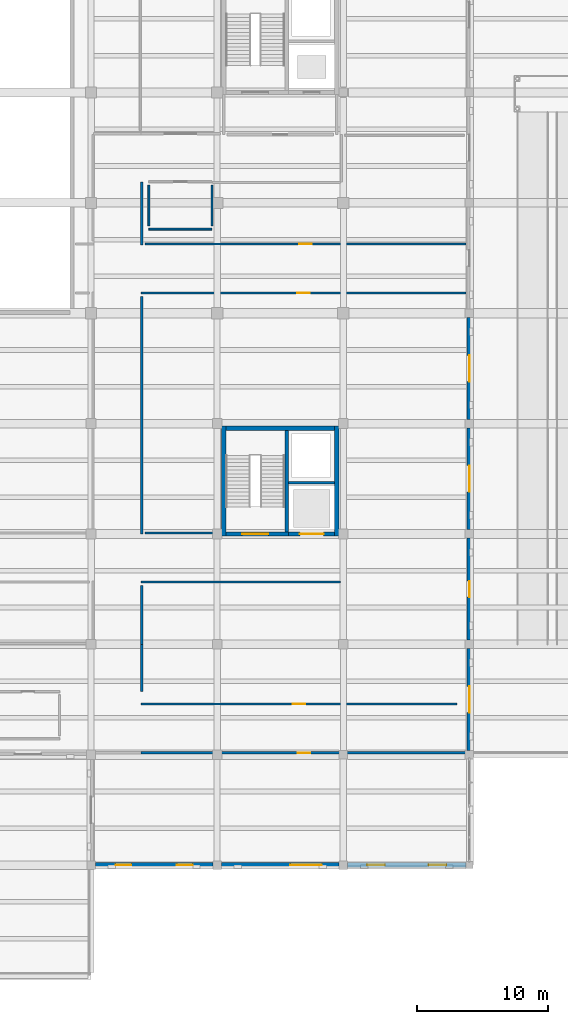
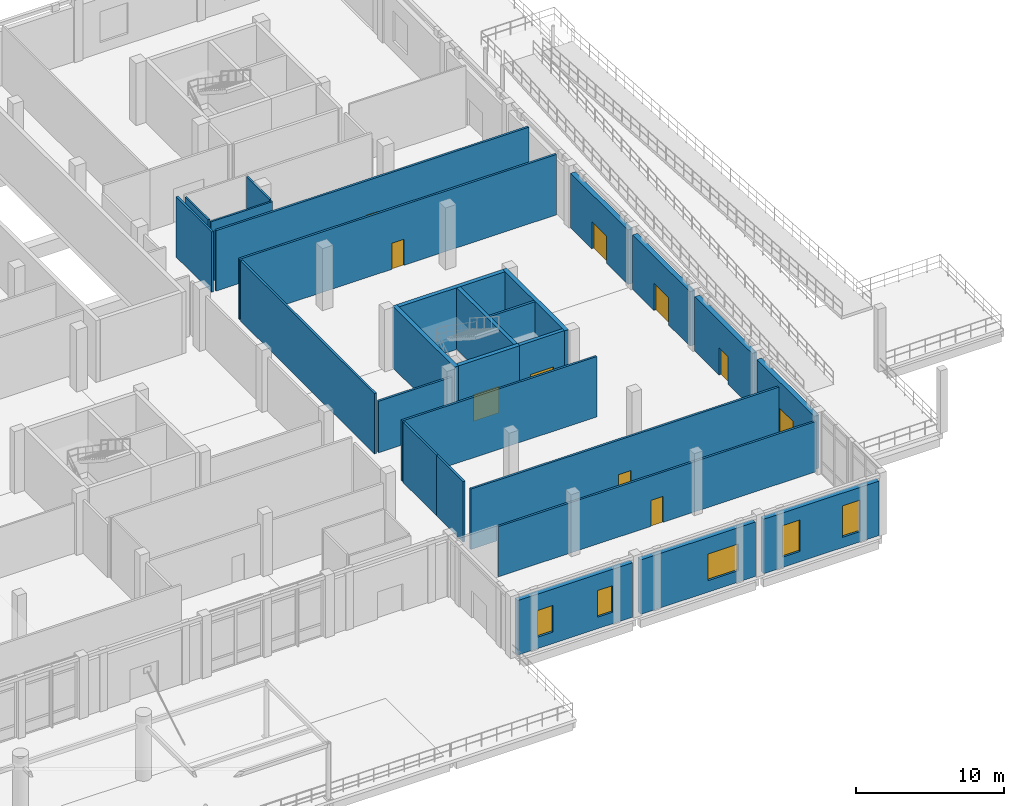
# One storey, part 58 of 71: 27 walls, 10 doors, 5 windows, 15 openings.
"""IFC4 building model written with IfcOpenShell, lengths in metres."""

from ifc_helpers import new_model, si_unit, direction, frame, frame_2d, origin, place, context, subcontext, project, spatial, rectangle, extrude, material, layer, layer_set, type_object, element, fill, save


model = new_model("IFC4")

# Units and contexts
model_context = context("Model", 3, precision=1e-05, world=origin(), true_north=direction((0.0, 1.0)))
body_context = subcontext(model_context, "Body", "Model", "MODEL_VIEW")
ifc_project = project(units=[si_unit("LENGTHUNIT", "METRE"), si_unit("AREAUNIT", "SQUARE_METRE"), si_unit("VOLUMEUNIT", "CUBIC_METRE"), si_unit("PLANEANGLEUNIT", "RADIAN"), si_unit("MASSUNIT", "GRAM", prefix="KILO")], contexts=[model_context])

# Site, building, storey
site_placement = place(None, origin())
site = spatial("IfcSite", under=ifc_project, at=site_placement, CompositionType="ELEMENT")
building_placement = place(site_placement, origin())
building = spatial("IfcBuilding", under=site, at=building_placement, Name="Lornevale Opera House", CompositionType="ELEMENT")
storey_placement = place(building_placement, origin())
storey = spatial("IfcBuildingStorey", under=building, at=storey_placement, Name="L01", CompositionType="ELEMENT", Elevation=0.0)

# Wall, opening, door
ifc_material_1 = material(Name="Concrete 40 MPa (CSA A23.1 C-1)", Category="concrete")
ifc_layer_1 = layer(ifc_material_1, 0.320068359375)
ifc_layer_set_1 = layer_set([ifc_layer_1], Name="Concrete 40 MPa (CSA A23.1 C-1)")
wall_type_1 = type_object("IfcWallType", Name="Core Shear Wall 320", PredefinedType="SHEAR", material=ifc_layer_set_1)
wall_1_placement = place(storey_placement, frame((135.06005859375, 33.60009765625, 0.0), z_axis=(0.0, 0.0, 1.0), x_axis=(1.0, 0.0, 0.0)))
wall_1 = element("IfcWall", 1, at=wall_1_placement, inside=storey, type_object=wall_type_1, Name="Backstage Service Lift Core Core Shear Wall 320 WL-COR-0331", PredefinedType="SHEAR", context=body_context, shape_type="SweptSolid", body=[
    extrude(rectangle(XDim=4.780029296875, YDim=0.320068359375, at=frame_2d((2.39013671875, 0.0))), origin(), (0.0, 0.0, 1.0), 5.10009765625),
])
opening_1_placement = place(wall_1_placement, frame((1.239990234375, 0.0, 0.0)))
opening_1 = element("IfcOpeningElement", 2, at=opening_1_placement, cuts=wall_1, Name="Opening DR-T12", PredefinedType="OPENING", context=body_context, shape_type="SweptSolid", body=[
    extrude(rectangle(XDim=2.0, YDim=2.199951171875, at=frame_2d((1.0, 1.10009765625))), frame((0.0, 0.169921875, 0.0), z_axis=(0.0, -1.0, 0.0), x_axis=(1.0, 0.0, 0.0)), (0.0, 0.0, 1.0), 0.340087890625),
])
ifc_material_2 = material(Name="Painted Hollow Metal Door Steel", Category="steel")
ifc_layer_2 = layer(ifc_material_2, 2.199951171875)
ifc_layer_set_2 = layer_set([ifc_layer_2], Name="Painted Hollow Metal Door Steel")
door_type_1 = type_object("IfcDoorType", Name="Exit Stair Discharge Pair 2000x2200", OperationType="NOTDEFINED", PredefinedType="DOOR", material=ifc_layer_set_2)
door_1_placement = place(opening_1_placement, origin())
door_1 = element("IfcDoor", 3, at=door_1_placement, inside=storey, type_object=door_type_1, Name="C8 Stair Door L01", OperationType="DOUBLE_SWING_LEFT", OverallHeight=2.199951171875, OverallWidth=2.0, PredefinedType="DOOR", context=body_context, shape_type="SweptSolid", body=[
    extrude(rectangle(XDim=2.0, YDim=2.199951171875, at=frame_2d((1.0, 1.10009765625))), frame((0.0, 0.02490234375, 0.0), z_axis=(0.0, -1.0, 0.0), x_axis=(1.0, 0.0, 0.0)), (0.0, 0.0, 1.0), 0.050048828125),
])
fill(opening_1, door_1)

# Walls
wall_2_placement = place(storey_placement, frame((143.340087890625, 41.639892578125, 0.0), z_axis=(0.0, 0.0, 1.0), x_axis=(-1.0, 0.0, 0.0)))
element("IfcWall", 4, at=wall_2_placement, inside=storey, type_object=wall_type_1, Name="Backstage Service Lift Core Core Shear Wall 320 WL-COR-0333", PredefinedType="SHEAR", context=body_context, shape_type="SweptSolid", body=[
    extrude(rectangle(XDim=8.280029296875, YDim=0.320068359375, at=frame_2d((4.14013671875, 0.0))), origin(), (0.0, 0.0, 1.0), 5.10009765625),
])
for number, where, z_axis, x_axis, name in (
    (5, (134.89990234375, 41.800048828125, 0.0), (0.0, 0.0, 1.0), (0.0, -1.0, 0.0), "Backstage Service Lift Core Core Shear Wall 320 WL-COR-0334"),
    (6, (143.5, 33.43994140625, 0.0), (0.0, 0.0, 1.0), (0.0, 1.0, 0.0), "Backstage Service Lift Core Core Shear Wall 320 WL-COR-0335"),
):
    element("IfcWall", number, at=place(storey_placement, frame(where, z_axis=z_axis, x_axis=x_axis)), inside=storey, type_object=wall_type_1, Name=name, PredefinedType="SHEAR", context=body_context, shape_type="SweptSolid", body=[
        extrude(rectangle(XDim=8.360107421875, YDim=0.320068359375, at=frame_2d((4.18017578125, 0.0))), origin(), (0.0, 0.0, 1.0), 5.10009765625),
    ])
ifc_material_3 = material(Name="Acoustic Mineral-Core Gypsum Partition", Category="gypsum")
ifc_layer_3 = layer(ifc_material_3, 0.1650390625)
ifc_layer_set_3 = layer_set([ifc_layer_3], Name="Acoustic Mineral-Core Gypsum Partition")
wall_type_2 = type_object("IfcWallType", Name="Corridor Rated Partition 165", PredefinedType="PARTITIONING", material=ifc_layer_set_3)
wall_3_placement = place(storey_placement, frame((128.60009765625, 29.93994140625, 0.0), z_axis=(0.0, 0.0, 1.0), x_axis=(1.0, 0.0, 0.0)))
element("IfcWall", 7, at=wall_3_placement, inside=storey, type_object=wall_type_2, Name="L01 Partition WL-INT-0683", PredefinedType="PARTITIONING", context=body_context, shape_type="SweptSolid", body=[
    extrude(rectangle(XDim=15.199951171875, YDim=0.1650390625, at=frame_2d((7.60009765625, 0.0))), origin(), (0.0, 0.0, 1.0), 4.989990234375),
])
wall_4_placement = place(storey_placement, frame((128.659912109375, 25.199951171875, 0.0), z_axis=(0.0, 0.0, 1.0), x_axis=(0.0, 1.0, 0.0)))
element("IfcWall", 8, at=wall_4_placement, inside=storey, type_object=wall_type_2, Name="L01 Partition WL-INT-0684", PredefinedType="PARTITIONING", context=body_context, shape_type="SweptSolid", body=[
    extrude(rectangle(XDim=4.489990234375, YDim=0.1650390625, at=frame_2d((2.2451171875, 0.0))), origin(), (0.0, 0.0, 1.0), 4.989990234375),
])
wall_5_placement = place(storey_placement, frame((128.659912109375, 21.60009765625, 0.0), z_axis=(0.0, 0.0, 1.0), x_axis=(0.0, 1.0, 0.0)))
element("IfcWall", 9, at=wall_5_placement, inside=storey, type_object=wall_type_2, Name="L01 Partition WL-INT-0685", PredefinedType="PARTITIONING", context=body_context, shape_type="SweptSolid", body=[
    extrude(rectangle(XDim=3.599853515625, YDim=0.1650390625, at=frame_2d((1.7998046875, 0.0))), origin(), (0.0, 0.0, 1.0), 4.989990234375),
])

# Wall, opening, door
wall_6_placement = place(storey_placement, frame((128.60009765625, 20.659912109375, 0.0), z_axis=(0.0, 0.0, 1.0), x_axis=(1.0, 0.0, 0.0)))
wall_6 = element("IfcWall", 10, at=wall_6_placement, inside=storey, type_object=wall_type_2, Name="L01 Partition WL-INT-0686", PredefinedType="PARTITIONING", context=body_context, shape_type="SweptSolid", body=[
    extrude(rectangle(XDim=24.039794921875, YDim=0.1650390625, at=frame_2d((12.02001953125, 0.0))), origin(), (0.0, 0.0, 1.0), 4.989990234375),
])
opening_2_placement = place(wall_6_placement, frame((11.544921875, 0.0, 0.0)))
opening_2 = element("IfcOpeningElement", 11, at=opening_2_placement, cuts=wall_6, Name="Opening DR-T19", PredefinedType="OPENING", context=body_context, shape_type="SweptSolid", body=[
    extrude(rectangle(XDim=0.949951171875, YDim=2.14990234375, at=frame_2d((0.47509765625, 1.074951171875))), frame((0.0, 0.092529296875, 0.0), z_axis=(0.0, -1.0, 0.0), x_axis=(1.0, 0.0, 0.0)), (0.0, 0.0, 1.0), 0.18505859375),
])
ifc_material_4 = material(Name="White Oak Acoustic Panelling", Category="wood")
ifc_layer_4 = layer(ifc_material_4, 2.14990234375)
ifc_layer_set_4 = layer_set([ifc_layer_4], Name="White Oak Acoustic Panelling")
door_type_2 = type_object("IfcDoorType", Name="Soloist Dressing Door L 950x2150", OperationType="NOTDEFINED", PredefinedType="DOOR", material=ifc_layer_set_4)
door_2_placement = place(opening_2_placement, origin())
door_2 = element("IfcDoor", 12, at=door_2_placement, inside=storey, type_object=door_type_2, Name="Fire Command Room Door", OperationType="SINGLE_SWING_LEFT", OverallHeight=2.14990234375, OverallWidth=0.949951171875, PredefinedType="DOOR", context=body_context, shape_type="SweptSolid", body=[
    extrude(rectangle(XDim=0.949951171875, YDim=2.14990234375, at=frame_2d((0.47509765625, 1.074951171875))), frame((0.0, 0.02490234375, 0.0), z_axis=(0.0, -1.0, 0.0), x_axis=(1.0, 0.0, 0.0)), (0.0, 0.0, 1.0), 0.050048828125),
])
fill(opening_2, door_2)

wall_7_placement = place(storey_placement, frame((128.60009765625, 51.93994140625, 0.0), z_axis=(0.0, 0.0, 1.0), x_axis=(1.0, 0.0, 0.0)))
wall_7 = element("IfcWall", 13, at=wall_7_placement, inside=storey, type_object=wall_type_2, Name="L01 Partition WL-INT-0687", PredefinedType="PARTITIONING", context=body_context, shape_type="SweptSolid", body=[
    extrude(rectangle(XDim=24.75, YDim=0.1650390625, at=frame_2d((12.375, 0.0))), origin(), (0.0, 0.0, 1.0), 4.989990234375),
])
opening_3_placement = place(wall_7_placement, frame((11.89990234375, 0.0, 0.0)))
opening_3 = element("IfcOpeningElement", 14, at=opening_3_placement, cuts=wall_7, Name="Opening DR-T20", PredefinedType="OPENING", context=body_context, shape_type="SweptSolid", body=[
    extrude(rectangle(XDim=0.949951171875, YDim=2.14990234375, at=frame_2d((0.47509765625, 1.074951171875))), frame((0.0, 0.092529296875, 0.0), z_axis=(0.0, -1.0, 0.0), x_axis=(1.0, 0.0, 0.0)), (0.0, 0.0, 1.0), 0.18505859375),
])
ifc_layer_5 = layer(ifc_material_4, 2.14990234375)
ifc_layer_set_5 = layer_set([ifc_layer_5], Name="White Oak Acoustic Panelling")
door_type_3 = type_object("IfcDoorType", Name="Soloist Dressing Door R 950x2150", OperationType="NOTDEFINED", PredefinedType="DOOR", material=ifc_layer_set_5)
door_3_placement = place(opening_3_placement, origin())
door_3 = element("IfcDoor", 15, at=door_3_placement, inside=storey, type_object=door_type_3, Name="Principal Soloist Dressing Rooms Door", OperationType="SINGLE_SWING_RIGHT", OverallHeight=2.14990234375, OverallWidth=0.949951171875, PredefinedType="DOOR", context=body_context, shape_type="SweptSolid", body=[
    extrude(rectangle(XDim=0.949951171875, YDim=2.14990234375, at=frame_2d((0.47509765625, 1.074951171875))), frame((0.0, 0.02490234375, 0.0), z_axis=(0.0, -1.0, 0.0), x_axis=(1.0, 0.0, 0.0)), (0.0, 0.0, 1.0), 0.050048828125),
])
fill(opening_3, door_3)

# Walls
wall_8_placement = place(storey_placement, frame((128.659912109375, 33.60009765625, 0.0), z_axis=(0.0, 0.0, 1.0), x_axis=(0.0, 1.0, 0.0)))
element("IfcWall", 16, at=wall_8_placement, inside=storey, type_object=wall_type_2, Name="L01 Partition WL-INT-0688", PredefinedType="PARTITIONING", context=body_context, shape_type="SweptSolid", body=[
    extrude(rectangle(XDim=18.08984375, YDim=0.1650390625, at=frame_2d((9.044921875, 0.0))), origin(), (0.0, 0.0, 1.0), 4.989990234375),
])
wall_9_placement = place(storey_placement, frame((128.909912109375, 33.659912109375, 0.0), z_axis=(0.0, 0.0, 1.0), x_axis=(1.0, 0.0, 0.0)))
element("IfcWall", 17, at=wall_9_placement, inside=storey, type_object=wall_type_2, Name="L01 Partition WL-INT-0689", PredefinedType="PARTITIONING", context=body_context, shape_type="SweptSolid", body=[
    extrude(rectangle(XDim=5.739990234375, YDim=0.1650390625, at=frame_2d((2.8701171875, 0.0))), origin(), (0.0, 0.0, 1.0), 4.25),
])

# Wall, opening, door
wall_10_placement = place(storey_placement, frame((128.60009765625, 16.93994140625, 0.0), z_axis=(0.0, 0.0, 1.0), x_axis=(1.0, 0.0, 0.0)))
wall_10 = element("IfcWall", 18, at=wall_10_placement, inside=storey, type_object=wall_type_2, Name="L01 Partition WL-INT-0708", PredefinedType="PARTITIONING", context=body_context, shape_type="SweptSolid", body=[
    extrude(rectangle(XDim=24.77978515625, YDim=0.1650390625, at=frame_2d((12.389892578125, 0.0))), origin(), (0.0, 0.0, 1.0), 4.14990234375),
])
opening_4_placement = place(wall_10_placement, frame((11.9150390625, 0.0, 0.0)))
opening_4 = element("IfcOpeningElement", 19, at=opening_4_placement, cuts=wall_10, Name="Opening DR-T19", PredefinedType="OPENING", context=body_context, shape_type="SweptSolid", body=[
    extrude(rectangle(XDim=0.949951171875, YDim=2.14990234375, at=frame_2d((0.47509765625, 1.074951171875))), frame((0.0, 0.092529296875, 0.0), z_axis=(0.0, -1.0, 0.0), x_axis=(1.0, 0.0, 0.0)), (0.0, 0.0, 1.0), 0.18505859375),
])
door_4_placement = place(opening_4_placement, origin())
door_4 = element("IfcDoor", 20, at=door_4_placement, inside=storey, type_object=door_type_2, Name="Winter-Garden Exhibition Foyer Door", OperationType="SINGLE_SWING_LEFT", OverallHeight=2.14990234375, OverallWidth=0.949951171875, PredefinedType="DOOR", context=body_context, shape_type="SweptSolid", body=[
    extrude(rectangle(XDim=0.949951171875, YDim=2.14990234375, at=frame_2d((0.47509765625, 1.074951171875))), frame((0.0, 0.02490234375, 0.0), z_axis=(0.0, -1.0, 0.0), x_axis=(1.0, 0.0, 0.0)), (0.0, 0.0, 1.0), 0.050048828125),
])
fill(opening_4, door_4)

# Wall
wall_11_placement = place(storey_placement, frame((128.659912109375, 55.60009765625, 0.0), z_axis=(0.0, 0.0, 1.0), x_axis=(0.0, 1.0, 0.0)))
element("IfcWall", 21, at=wall_11_placement, inside=storey, type_object=wall_type_2, Name="L01 Partition WL-INT-0712", PredefinedType="PARTITIONING", context=body_context, shape_type="SweptSolid", body=[
    extrude(rectangle(XDim=4.7998046875, YDim=0.1650390625, at=frame_2d((2.39990234375, 0.0))), origin(), (0.0, 0.0, 1.0), 4.989990234375),
])

# Wall, opening, door
wall_12_placement = place(storey_placement, frame((128.909912109375, 55.659912109375, 0.0), z_axis=(0.0, 0.0, 1.0), x_axis=(1.0, 0.0, 0.0)))
wall_12 = element("IfcWall", 22, at=wall_12_placement, inside=storey, type_object=wall_type_2, Name="L01 Partition WL-INT-0713", PredefinedType="PARTITIONING", context=body_context, shape_type="SweptSolid", body=[
    extrude(rectangle(XDim=24.440185546875, YDim=0.1650390625, at=frame_2d((12.22021484375, 0.0))), origin(), (0.0, 0.0, 1.0), 4.989990234375),
])
opening_5_placement = place(wall_12_placement, frame((11.7451171875, 0.0, 0.0)))
opening_5 = element("IfcOpeningElement", 23, at=opening_5_placement, cuts=wall_12, Name="Opening DR-T20", PredefinedType="OPENING", context=body_context, shape_type="SweptSolid", body=[
    extrude(rectangle(XDim=0.949951171875, YDim=2.14990234375, at=frame_2d((0.47509765625, 1.074951171875))), frame((0.0, 0.092529296875, 0.0), z_axis=(0.0, -1.0, 0.0), x_axis=(1.0, 0.0, 0.0)), (0.0, 0.0, 1.0), 0.18505859375),
])
door_5_placement = place(opening_5_placement, origin())
door_5 = element("IfcDoor", 24, at=door_5_placement, inside=storey, type_object=door_type_3, Name="Winter-Garden Exhibition Foyer Door", OperationType="SINGLE_SWING_RIGHT", OverallHeight=2.14990234375, OverallWidth=0.949951171875, PredefinedType="DOOR", context=body_context, shape_type="SweptSolid", body=[
    extrude(rectangle(XDim=0.949951171875, YDim=2.14990234375, at=frame_2d((0.47509765625, 1.074951171875))), frame((0.0, 0.02490234375, 0.0), z_axis=(0.0, -1.0, 0.0), x_axis=(1.0, 0.0, 0.0)), (0.0, 0.0, 1.0), 0.050048828125),
])
fill(opening_5, door_5)

ifc_layer_6 = layer(ifc_material_1, 0.280029296875)
ifc_layer_set_6 = layer_set([ifc_layer_6], Name="Concrete 40 MPa (CSA A23.1 C-1)")
wall_type_3 = type_object("IfcWallType", Name="Elevator Shaft Wall 280", PredefinedType="SHEAR", material=ifc_layer_set_6)
wall_13_placement = place(storey_placement, frame((139.840087890625, 33.60009765625, 0.0), z_axis=(0.0, 0.0, 1.0), x_axis=(1.0, 0.0, 0.0)))
wall_13 = element("IfcWall", 25, at=wall_13_placement, inside=storey, type_object=wall_type_3, Name="Backstage Service Lift Core Elevator Shaft Wall 280 WL-COR-0332", PredefinedType="SHEAR", context=body_context, shape_type="SweptSolid", body=[
    extrude(rectangle(XDim=3.5, YDim=0.280029296875, at=frame_2d((1.75, 0.0))), origin(), (0.0, 0.0, 1.0), 5.10009765625),
])
opening_6_placement = place(wall_13_placement, frame((0.860107421875, 0.0, 0.0)))
opening_6 = element("IfcOpeningElement", 26, at=opening_6_placement, cuts=wall_13, Name="Opening DR-T27", PredefinedType="OPENING", context=body_context, shape_type="SweptSolid", body=[
    extrude(rectangle(XDim=1.800048828125, YDim=2.39990234375, at=frame_2d((0.89990234375, 1.199951171875))), frame((0.0, 0.14990234375, 0.0), z_axis=(0.0, -1.0, 0.0), x_axis=(1.0, 0.0, 0.0)), (0.0, 0.0, 1.0), 0.300048828125),
])
ifc_layer_7 = layer(ifc_material_2, 2.39990234375)
ifc_layer_set_7 = layer_set([ifc_layer_7], Name="Painted Hollow Metal Door Steel")
door_type_4 = type_object("IfcDoorType", Name="Freight Lift Landing Door 1800x2400", OperationType="NOTDEFINED", PredefinedType="DOOR", material=ifc_layer_set_7)
door_6_placement = place(opening_6_placement, origin())
door_6 = element("IfcDoor", 27, at=door_6_placement, inside=storey, type_object=door_type_4, Name="L-B2 Landing Door L01", OperationType="SLIDING_TO_LEFT", OverallHeight=2.39990234375, OverallWidth=1.800048828125, PredefinedType="DOOR", context=body_context, shape_type="SweptSolid", body=[
    extrude(rectangle(XDim=1.800048828125, YDim=2.39990234375, at=frame_2d((0.89990234375, 1.199951171875))), frame((0.0, 0.02490234375, 0.0), z_axis=(0.0, -1.0, 0.0), x_axis=(1.0, 0.0, 0.0)), (0.0, 0.0, 1.0), 0.050048828125),
])
fill(opening_6, door_6)

# Walls
wall_14_placement = place(storey_placement, frame((139.699951171875, 33.760009765625, 0.0), z_axis=(0.0, 0.0, 1.0), x_axis=(0.0, 1.0, 0.0)))
element("IfcWall", 28, at=wall_14_placement, inside=storey, type_object=wall_type_3, Name="Backstage Service Lift Core Elevator Shaft Wall 280 WL-COR-0336", PredefinedType="SHEAR", context=body_context, shape_type="SweptSolid", body=[
    extrude(rectangle(XDim=7.719970703125, YDim=0.280029296875, at=frame_2d((3.85986328125, 0.0))), origin(), (0.0, 0.0, 1.0), 5.10009765625),
])
ifc_material_5 = material(Name="Moisture-Resistant Ceramic & Gypsum Partition", Category="gypsum")
ifc_layer_8 = layer(ifc_material_5, 0.179931640625)
ifc_layer_set_8 = layer_set([ifc_layer_8], Name="Moisture-Resistant Ceramic & Gypsum Partition")
wall_type_4 = type_object("IfcWallType", Name="Riser Shaft Wall 180", PredefinedType="SOLIDWALL", material=ifc_layer_set_8)
wall_15_placement = place(storey_placement, frame((139.840087890625, 37.5, 0.0), z_axis=(0.0, 0.0, 1.0), x_axis=(1.0, 0.0, 0.0)))
element("IfcWall", 29, at=wall_15_placement, inside=storey, type_object=wall_type_4, Name="Backstage Service Lift Core Riser Shaft Wall 180 WL-COR-0337", PredefinedType="SOLIDWALL", context=body_context, shape_type="SweptSolid", body=[
    extrude(rectangle(XDim=3.5, YDim=0.179931640625, at=frame_2d((1.75, 0.0))), origin(), (0.0, 0.0, 1.0), 5.10009765625),
])

# Wall, openings, windows
ifc_material_6 = material(Name="Credit Valley Sandstone Ashlar Masonry (25 MPa)", Category="masonry")
ifc_layer_9 = layer(ifc_material_6, 0.3798828125)
ifc_layer_set_9 = layer_set([ifc_layer_9], Name="Credit Valley Sandstone Ashlar Masonry (25 MPa)")
wall_type_5 = type_object("IfcWallType", Name="Sandstone Plinth Bearing Wall 380", PredefinedType="SOLIDWALL", material=ifc_layer_set_9)
wall_16_placement = place(storey_placement, frame((134.074951171875, 8.39990234375, 0.0), z_axis=(0.0, 0.0, 1.0), x_axis=(-1.0, 0.0, 0.0)))
wall_16 = element("IfcWall", 30, at=wall_16_placement, inside=storey, type_object=wall_type_5, Name="Sandstone Plinth Bearing Wall 380 WL-EXT-0176", PredefinedType="SOLIDWALL", context=body_context, shape_type="SweptSolid", body=[
    extrude(rectangle(XDim=8.949951171875, YDim=0.3798828125, at=frame_2d((4.47509765625, 0.0))), origin(), (0.0, 0.0, 1.0), 4.5),
])
opening_7_placement = place(wall_16_placement, frame((1.548095703125, 0.0, 0.949951171875)))
opening_7 = element("IfcOpeningElement", 31, at=opening_7_placement, cuts=wall_16, Name="Opening WN-T03", PredefinedType="OPENING", context=body_context, shape_type="SweptSolid", body=[
    extrude(rectangle(XDim=1.199951171875, YDim=2.199951171875, at=frame_2d((0.60009765625, 1.10009765625))), frame((0.0, 0.199951171875, 0.0), z_axis=(0.0, -1.0, 0.0), x_axis=(1.0, 0.0, 0.0)), (0.0, 0.0, 1.0), 0.39990234375),
])
opening_8_placement = place(wall_16_placement, frame((6.201904296875, 0.0, 0.949951171875)))
opening_8 = element("IfcOpeningElement", 32, at=opening_8_placement, cuts=wall_16, Name="Opening WN-T03", PredefinedType="OPENING", context=body_context, shape_type="SweptSolid", body=[
    extrude(rectangle(XDim=1.199951171875, YDim=2.199951171875, at=frame_2d((0.60009765625, 1.10009765625))), frame((0.0, 0.199951171875, 0.0), z_axis=(0.0, -1.0, 0.0), x_axis=(1.0, 0.0, 0.0)), (0.0, 0.0, 1.0), 0.39990234375),
])
ifc_material_7 = material(Name="Triple Low-E Insulated Glazing", Category="glass")
ifc_layer_10 = layer(ifc_material_7, 0.06005859375)
ifc_layer_set_10 = layer_set([ifc_layer_10], Name="Triple Low-E Insulated Glazing")
window_type_1 = type_object("IfcWindowType", Name="Punched Deep-Reveal Window 1200x2200", PartitioningType="NOTDEFINED", PredefinedType="WINDOW", material=ifc_layer_set_10)
window_1_placement = place(opening_7_placement, origin())
window_1 = element("IfcWindow", 33, at=window_1_placement, inside=storey, type_object=window_type_1, Name="Punched Deep-Reveal Window 1200x2200 WN-0027", OverallHeight=2.199951171875, OverallWidth=1.199951171875, PartitioningType="SINGLE_PANEL", PredefinedType="WINDOW", context=body_context, shape_type="SweptSolid", body=[
    extrude(rectangle(XDim=1.199951171875, YDim=2.199951171875, at=frame_2d((0.60009765625, 1.10009765625))), frame((0.0, 0.030029296875, 0.0), z_axis=(0.0, -1.0, 0.0), x_axis=(1.0, 0.0, 0.0)), (0.0, 0.0, 1.0), 0.06005859375),
])
fill(opening_7, window_1)
window_2_placement = place(opening_8_placement, origin())
window_2 = element("IfcWindow", 34, at=window_2_placement, inside=storey, type_object=window_type_1, Name="Punched Deep-Reveal Window 1200x2200 WN-0028", OverallHeight=2.199951171875, OverallWidth=1.199951171875, PartitioningType="SINGLE_PANEL", PredefinedType="WINDOW", context=body_context, shape_type="SweptSolid", body=[
    extrude(rectangle(XDim=1.199951171875, YDim=2.199951171875, at=frame_2d((0.60009765625, 1.10009765625))), frame((0.0, 0.030029296875, 0.0), z_axis=(0.0, -1.0, 0.0), x_axis=(1.0, 0.0, 0.0)), (0.0, 0.0, 1.0), 0.06005859375),
])
fill(opening_8, window_2)

# Wall, opening, window
wall_17_placement = place(storey_placement, frame((143.675048828125, 8.39990234375, 0.0), z_axis=(0.0, 0.0, 1.0), x_axis=(-1.0, 0.0, 0.0)))
wall_17 = element("IfcWall", 35, at=wall_17_placement, inside=storey, type_object=wall_type_5, Name="Sandstone Plinth Bearing Wall 380 WL-EXT-0179", PredefinedType="SOLIDWALL", context=body_context, shape_type="SweptSolid", body=[
    extrude(rectangle(XDim=8.949951171875, YDim=0.3798828125, at=frame_2d((4.47509765625, 0.0))), origin(), (0.0, 0.0, 1.0), 4.5),
])
opening_9_placement = place(wall_17_placement, frame((1.305908203125, 0.0, 0.949951171875)))
opening_9 = element("IfcOpeningElement", 36, at=opening_9_placement, cuts=wall_17, Name="Opening WN-T08", PredefinedType="OPENING", context=body_context, shape_type="SweptSolid", body=[
    extrude(rectangle(XDim=2.39990234375, YDim=2.199951171875, at=frame_2d((1.199951171875, 1.10009765625))), frame((0.0, 0.199951171875, 0.0), z_axis=(0.0, -1.0, 0.0), x_axis=(1.0, 0.0, 0.0)), (0.0, 0.0, 1.0), 0.39990234375),
])
ifc_layer_11 = layer(ifc_material_7, 0.06005859375)
ifc_layer_set_11 = layer_set([ifc_layer_11], Name="Triple Low-E Insulated Glazing")
window_type_2 = type_object("IfcWindowType", Name="Conservatory Window 2400x2200", PartitioningType="NOTDEFINED", PredefinedType="WINDOW", material=ifc_layer_set_11)
window_3_placement = place(opening_9_placement, origin())
window_3 = element("IfcWindow", 37, at=window_3_placement, inside=storey, type_object=window_type_2, Name="Conservatory Window 2400x2200 WN-0029", OverallHeight=2.199951171875, OverallWidth=2.39990234375, PartitioningType="SINGLE_PANEL", PredefinedType="WINDOW", context=body_context, shape_type="SweptSolid", body=[
    extrude(rectangle(XDim=2.39990234375, YDim=2.199951171875, at=frame_2d((1.199951171875, 1.10009765625))), frame((0.0, 0.030029296875, 0.0), z_axis=(0.0, -1.0, 0.0), x_axis=(1.0, 0.0, 0.0)), (0.0, 0.0, 1.0), 0.06005859375),
])
fill(opening_9, window_3)

# Wall, openings, windows
wall_18_placement = place(storey_placement, frame((153.324951171875, 8.39990234375, 0.0), z_axis=(0.0, 0.0, 1.0), x_axis=(-1.0, 0.0, 0.0)))
wall_18 = element("IfcWall", 38, at=wall_18_placement, inside=storey, type_object=wall_type_5, Name="Sandstone Plinth Bearing Wall 380 WL-EXT-0181", PredefinedType="SOLIDWALL", context=body_context, shape_type="SweptSolid", body=[
    extrude(rectangle(XDim=9.0, YDim=0.3798828125, at=frame_2d((4.5, 0.0))), origin(), (0.0, 0.0, 1.0), 4.5),
])
opening_10_placement = place(wall_18_placement, frame((1.485107421875, 0.0, 0.85009765625)))
opening_10 = element("IfcOpeningElement", 39, at=opening_10_placement, cuts=wall_18, Name="Opening WN-T14", PredefinedType="OPENING", context=body_context, shape_type="SweptSolid", body=[
    extrude(rectangle(XDim=1.35009765625, YDim=2.60009765625, at=frame_2d((0.675048828125, 1.300048828125))), frame((0.0, 0.199951171875, 0.0), z_axis=(0.0, -1.0, 0.0), x_axis=(1.0, 0.0, 0.0)), (0.0, 0.0, 1.0), 0.39990234375),
])
opening_11_placement = place(wall_18_placement, frame((6.1650390625, 0.0, 0.85009765625)))
opening_11 = element("IfcOpeningElement", 40, at=opening_11_placement, cuts=wall_18, Name="Opening WN-T14", PredefinedType="OPENING", context=body_context, shape_type="SweptSolid", body=[
    extrude(rectangle(XDim=1.35009765625, YDim=2.60009765625, at=frame_2d((0.675048828125, 1.300048828125))), frame((0.0, 0.199951171875, 0.0), z_axis=(0.0, -1.0, 0.0), x_axis=(1.0, 0.0, 0.0)), (0.0, 0.0, 1.0), 0.39990234375),
])
ifc_layer_12 = layer(ifc_material_7, 0.06005859375)
ifc_layer_set_12 = layer_set([ifc_layer_12], Name="Triple Low-E Insulated Glazing")
window_type_3 = type_object("IfcWindowType", Name="Chamber Gallery Window 1350x2600", PartitioningType="NOTDEFINED", PredefinedType="WINDOW", material=ifc_layer_set_12)
window_4_placement = place(opening_10_placement, origin())
window_4 = element("IfcWindow", 41, at=window_4_placement, inside=storey, type_object=window_type_3, Name="Chamber Gallery Window 1350x2600 WN-0031", OverallHeight=2.60009765625, OverallWidth=1.35009765625, PartitioningType="SINGLE_PANEL", PredefinedType="WINDOW", context=body_context, shape_type="SweptSolid", body=[
    extrude(rectangle(XDim=1.35009765625, YDim=2.60009765625, at=frame_2d((0.675048828125, 1.300048828125))), frame((0.0, 0.030029296875, 0.0), z_axis=(0.0, -1.0, 0.0), x_axis=(1.0, 0.0, 0.0)), (0.0, 0.0, 1.0), 0.06005859375),
])
fill(opening_10, window_4)
window_5_placement = place(opening_11_placement, origin())
window_5 = element("IfcWindow", 42, at=window_5_placement, inside=storey, type_object=window_type_3, Name="Chamber Gallery Window 1350x2600 WN-0032", OverallHeight=2.60009765625, OverallWidth=1.35009765625, PartitioningType="SINGLE_PANEL", PredefinedType="WINDOW", context=body_context, shape_type="SweptSolid", body=[
    extrude(rectangle(XDim=1.35009765625, YDim=2.60009765625, at=frame_2d((0.675048828125, 1.300048828125))), frame((0.0, 0.030029296875, 0.0), z_axis=(0.0, -1.0, 0.0), x_axis=(1.0, 0.0, 0.0)), (0.0, 0.0, 1.0), 0.06005859375),
])
fill(opening_11, window_5)

# Wall, opening, door
wall_19_placement = place(storey_placement, frame((153.60009765625, 24.875, 0.0), z_axis=(0.0, 0.0, 1.0), x_axis=(0.0, -1.0, 0.0)))
wall_19 = element("IfcWall", 43, at=wall_19_placement, inside=storey, type_object=wall_type_5, Name="Sandstone Plinth Bearing Wall 380 WL-EXT-0182", PredefinedType="SOLIDWALL", context=body_context, shape_type="SweptSolid", body=[
    extrude(rectangle(XDim=7.75, YDim=0.3798828125, at=frame_2d((3.875, 0.0))), origin(), (0.0, 0.0, 1.0), 4.39990234375),
])
opening_12_placement = place(wall_19_placement, frame((2.875, 0.0, 0.0)))
opening_12 = element("IfcOpeningElement", 44, at=opening_12_placement, cuts=wall_19, Name="Opening DR-T06", PredefinedType="OPENING", context=body_context, shape_type="SweptSolid", body=[
    extrude(rectangle(XDim=2.0, YDim=2.25, at=frame_2d((1.0, 1.125))), frame((0.0, 0.199951171875, 0.0), z_axis=(0.0, -1.0, 0.0), x_axis=(1.0, 0.0, 0.0)), (0.0, 0.0, 1.0), 0.39990234375),
])
ifc_layer_13 = layer(ifc_material_2, 0.050048828125)
ifc_layer_set_13 = layer_set([ifc_layer_13], Name="Painted Hollow Metal Door Steel")
door_type_5 = type_object("IfcDoorType", Name="Exterior Paired Exit Door 2000x2250", OperationType="NOTDEFINED", PredefinedType="DOOR", material=ifc_layer_set_13)
door_7_placement = place(opening_12_placement, origin())
door_7 = element("IfcDoor", 45, at=door_7_placement, inside=storey, type_object=door_type_5, Name="Exterior Paired Exit Door 2000x2250 DR-EXT-029", OperationType="DOUBLE_DOOR_SINGLE_SWING", OverallHeight=2.25, OverallWidth=2.0, PredefinedType="DOOR", context=body_context, shape_type="SweptSolid", body=[
    extrude(rectangle(XDim=2.0, YDim=2.25, at=frame_2d((1.0, 1.125))), frame((0.0, 0.02490234375, 0.0), z_axis=(0.0, -1.0, 0.0), x_axis=(1.0, 0.0, 0.0)), (0.0, 0.0, 1.0), 0.050048828125),
])
fill(opening_12, door_7)

wall_20_placement = place(storey_placement, frame((153.60009765625, 33.27490234375, 0.0), z_axis=(0.0, 0.0, 1.0), x_axis=(0.0, -1.0, 0.0)))
wall_20 = element("IfcWall", 46, at=wall_20_placement, inside=storey, type_object=wall_type_5, Name="Sandstone Plinth Bearing Wall 380 WL-EXT-0183", PredefinedType="SOLIDWALL", context=body_context, shape_type="SweptSolid", body=[
    extrude(rectangle(XDim=7.75, YDim=0.3798828125, at=frame_2d((3.875, 0.0))), origin(), (0.0, 0.0, 1.0), 4.5),
])
opening_13_placement = place(wall_20_placement, frame((3.264892578125, 0.0, 0.0)))
opening_13 = element("IfcOpeningElement", 47, at=opening_13_placement, cuts=wall_20, Name="Opening DR-T05", PredefinedType="OPENING", context=body_context, shape_type="SweptSolid", body=[
    extrude(rectangle(XDim=1.219970703125, YDim=2.25, at=frame_2d((0.60986328125, 1.125))), frame((0.0, 0.199951171875, 0.0), z_axis=(0.0, -1.0, 0.0), x_axis=(1.0, 0.0, 0.0)), (0.0, 0.0, 1.0), 0.39990234375),
])
ifc_layer_14 = layer(ifc_material_2, 0.050048828125)
ifc_layer_set_14 = layer_set([ifc_layer_14], Name="Painted Hollow Metal Door Steel")
door_type_6 = type_object("IfcDoorType", Name="Exterior Final Exit Door 1220x2250", OperationType="NOTDEFINED", PredefinedType="DOOR", material=ifc_layer_set_14)
door_8_placement = place(opening_13_placement, origin())
door_8 = element("IfcDoor", 48, at=door_8_placement, inside=storey, type_object=door_type_6, Name="Exterior Final Exit Door 1220x2250 DR-EXT-030", OperationType="SINGLE_SWING_LEFT", OverallHeight=2.25, OverallWidth=1.219970703125, PredefinedType="DOOR", context=body_context, shape_type="SweptSolid", body=[
    extrude(rectangle(XDim=1.219970703125, YDim=2.25, at=frame_2d((0.60986328125, 1.125))), frame((0.0, 0.02490234375, 0.0), z_axis=(0.0, -1.0, 0.0), x_axis=(1.0, 0.0, 0.0)), (0.0, 0.0, 1.0), 0.050048828125),
])
fill(opening_13, door_8)

wall_21_placement = place(storey_placement, frame((153.60009765625, 41.675048828125, 0.0), z_axis=(0.0, 0.0, 1.0), x_axis=(0.0, -1.0, 0.0)))
wall_21 = element("IfcWall", 49, at=wall_21_placement, inside=storey, type_object=wall_type_5, Name="Sandstone Plinth Bearing Wall 380 WL-EXT-0184", PredefinedType="SOLIDWALL", context=body_context, shape_type="SweptSolid", body=[
    extrude(rectangle(XDim=7.75, YDim=0.3798828125, at=frame_2d((3.875, 0.0))), origin(), (0.0, 0.0, 1.0), 4.5),
])
opening_14_placement = place(wall_21_placement, frame((2.875, 0.0, 0.0)))
opening_14 = element("IfcOpeningElement", 50, at=opening_14_placement, cuts=wall_21, Name="Opening DR-T06", PredefinedType="OPENING", context=body_context, shape_type="SweptSolid", body=[
    extrude(rectangle(XDim=2.0, YDim=2.25, at=frame_2d((1.0, 1.125))), frame((0.0, 0.199951171875, 0.0), z_axis=(0.0, -1.0, 0.0), x_axis=(1.0, 0.0, 0.0)), (0.0, 0.0, 1.0), 0.39990234375),
])
door_9_placement = place(opening_14_placement, origin())
door_9 = element("IfcDoor", 51, at=door_9_placement, inside=storey, type_object=door_type_5, Name="Exterior Paired Exit Door 2000x2250 DR-EXT-031", OperationType="DOUBLE_DOOR_SINGLE_SWING", OverallHeight=2.25, OverallWidth=2.0, PredefinedType="DOOR", context=body_context, shape_type="SweptSolid", body=[
    extrude(rectangle(XDim=2.0, YDim=2.25, at=frame_2d((1.0, 1.125))), frame((0.0, 0.02490234375, 0.0), z_axis=(0.0, -1.0, 0.0), x_axis=(1.0, 0.0, 0.0)), (0.0, 0.0, 1.0), 0.050048828125),
])
fill(opening_14, door_9)

wall_22_placement = place(storey_placement, frame((153.60009765625, 50.074951171875, 0.0), z_axis=(0.0, 0.0, 1.0), x_axis=(0.0, -1.0, 0.0)))
wall_22 = element("IfcWall", 52, at=wall_22_placement, inside=storey, type_object=wall_type_5, Name="Sandstone Plinth Bearing Wall 380 WL-EXT-0185", PredefinedType="SOLIDWALL", context=body_context, shape_type="SweptSolid", body=[
    extrude(rectangle(XDim=7.75, YDim=0.3798828125, at=frame_2d((3.875, 0.0))), origin(), (0.0, 0.0, 1.0), 4.5),
])
opening_15_placement = place(wall_22_placement, frame((2.875, 0.0, 0.0)))
opening_15 = element("IfcOpeningElement", 53, at=opening_15_placement, cuts=wall_22, Name="Opening DR-T06", PredefinedType="OPENING", context=body_context, shape_type="SweptSolid", body=[
    extrude(rectangle(XDim=2.0, YDim=2.25, at=frame_2d((1.0, 1.125))), frame((0.0, 0.199951171875, 0.0), z_axis=(0.0, -1.0, 0.0), x_axis=(1.0, 0.0, 0.0)), (0.0, 0.0, 1.0), 0.39990234375),
])
door_10_placement = place(opening_15_placement, origin())
door_10 = element("IfcDoor", 54, at=door_10_placement, inside=storey, type_object=door_type_5, Name="Exterior Paired Exit Door 2000x2250 DR-EXT-032", OperationType="DOUBLE_DOOR_SINGLE_SWING", OverallHeight=2.25, OverallWidth=2.0, PredefinedType="DOOR", context=body_context, shape_type="SweptSolid", body=[
    extrude(rectangle(XDim=2.0, YDim=2.25, at=frame_2d((1.0, 1.125))), frame((0.0, 0.02490234375, 0.0), z_axis=(0.0, -1.0, 0.0), x_axis=(1.0, 0.0, 0.0)), (0.0, 0.0, 1.0), 0.050048828125),
])
fill(opening_15, door_10)

# Walls
ifc_layer_15 = layer(ifc_material_5, 0.139892578125)
ifc_layer_set_15 = layer_set([ifc_layer_15], Name="Moisture-Resistant Ceramic & Gypsum Partition")
wall_type_6 = type_object("IfcWallType", Name="Washroom Moisture Partition 140", PredefinedType="PARTITIONING", material=ifc_layer_set_15)
wall_23_placement = place(storey_placement, frame((129.199951171875, 56.800048828125, 0.0), z_axis=(0.0, 0.0, 1.0), x_axis=(1.0, 0.0, 0.0)))
element("IfcWall", 55, at=wall_23_placement, inside=storey, type_object=wall_type_6, Name="Stage Crew Washroom S Wall WL-INT-0460", PredefinedType="PARTITIONING", context=body_context, shape_type="SweptSolid", body=[
    extrude(rectangle(XDim=4.800048828125, YDim=0.139892578125, at=frame_2d((2.39990234375, 0.0))), origin(), (0.0, 0.0, 1.0), 4.919921875),
])
for number, where, z_axis, x_axis, name in (
    (56, (129.199951171875, 57.050048828125, 0.0), (0.0, 0.0, 1.0), (0.0, 1.0, 0.0), "Stage Crew Washroom W Wall WL-INT-0462"),
    (57, (134.0, 57.050048828125, 0.0), (0.0, 0.0, 1.0), (0.0, 1.0, 0.0), "Stage Crew Washroom E Wall WL-INT-0463"),
):
    element("IfcWall", number, at=place(storey_placement, frame(where, z_axis=z_axis, x_axis=x_axis)), inside=storey, type_object=wall_type_6, Name=name, PredefinedType="PARTITIONING", context=body_context, shape_type="SweptSolid", body=[
        extrude(rectangle(XDim=3.099853515625, YDim=0.139892578125, at=frame_2d((1.5498046875, 0.0))), origin(), (0.0, 0.0, 1.0), 4.919921875),
    ])

save(model, "model.ifc")
